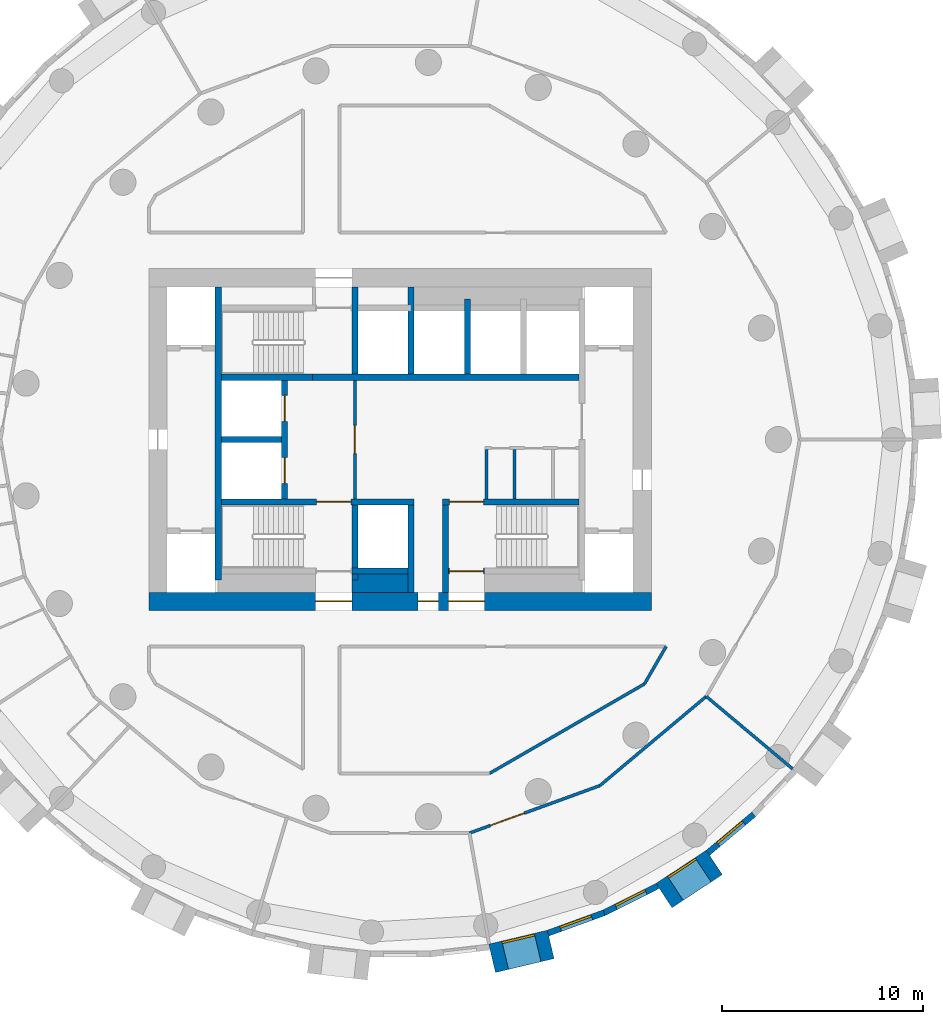
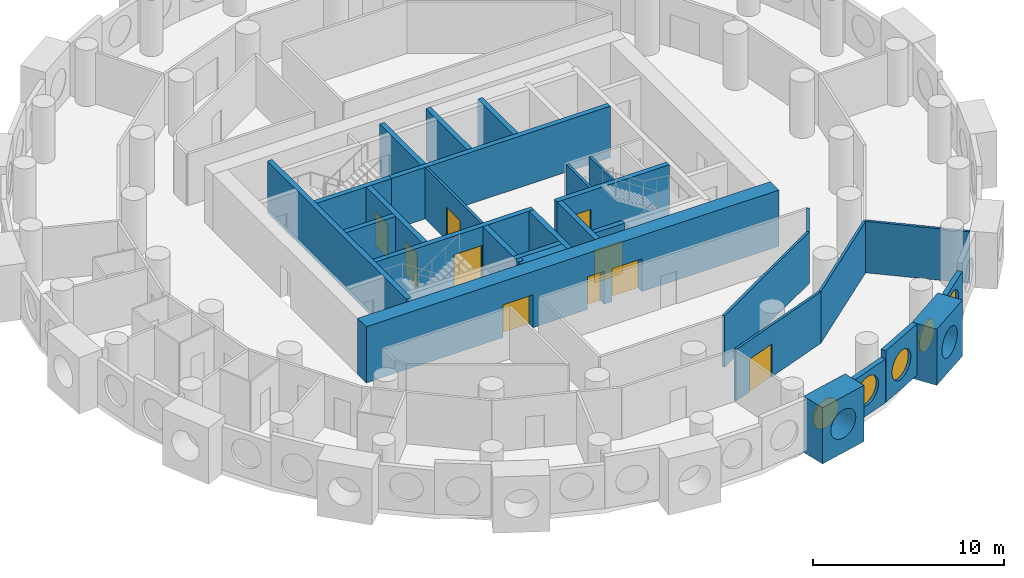
# One storey, part 4 of 9: 30 walls, 10 doors, 5 windows, 15 openings.
"""IFC4 building model written with IfcOpenShell, lengths in metres."""

from ifc_helpers import new_model, si_unit, direction, frame, frame_2d, origin, origin_2d, place, context, subcontext, project, spatial, rectangle, circle, extrude, material, layer, layer_set, type_object, element, fill, save


model = new_model("IFC4")

# Units and contexts
model_context = context("Model", 3, precision=1e-05, world=origin(), true_north=direction((0.0, 1.0)))
body_context = subcontext(model_context, "Body", "Model", "MODEL_VIEW")
ifc_project = project(units=[si_unit("LENGTHUNIT", "METRE"), si_unit("AREAUNIT", "SQUARE_METRE"), si_unit("VOLUMEUNIT", "CUBIC_METRE"), si_unit("PLANEANGLEUNIT", "RADIAN"), si_unit("MASSUNIT", "GRAM", prefix="KILO")], contexts=[model_context])

# Site, building, storey
site_placement = place(None, origin())
site = spatial("IfcSite", under=ifc_project, at=site_placement, CompositionType="ELEMENT")
building_placement = place(site_placement, origin())
building = spatial("IfcBuilding", under=site, at=building_placement, Name="Tracery Tower", CompositionType="ELEMENT")
storey_placement = place(building_placement, frame((0.0, 0.0, 208.800048828125)))
storey = spatial("IfcBuildingStorey", under=building, at=storey_placement, Name="L54", CompositionType="ELEMENT", Elevation=208.800048828125)

# Wall, opening, door
ifc_material_1 = material(Name="Plasterboard on steel studs", Category="steel")
ifc_layer_1 = layer(ifc_material_1, 0.14990234375)
ifc_layer_set_1 = layer_set([ifc_layer_1], Name="Core lobby partition 150")
wall_type_1 = type_object("IfcWallType", Name="Core lobby partition 150", PredefinedType="SOLIDWALL", material=ifc_layer_set_1)
wall_1_placement = place(storey_placement, frame((-2.25, -2.949951171875, 0.0), z_axis=(0.0, 0.0, 1.0), x_axis=(0.0, 1.0, 0.0)))
wall_1 = element("IfcWall", 1, at=wall_1_placement, inside=storey, type_object=wall_type_1, Name="L54 FF lobby E", PredefinedType="SOLIDWALL", context=body_context, shape_type="SweptSolid", body=[
    extrude(rectangle(XDim=5.89990234375, YDim=0.14990234375, at=frame_2d((2.949951171875, 0.0))), origin(), (0.0, 0.0, 1.0), 3.300048828125),
])
opening_1_placement = place(wall_1_placement, frame((2.25, 0.0, 0.0)))
opening_1 = element("IfcOpeningElement", 2, at=opening_1_placement, cuts=wall_1, Name="Opening KD8", PredefinedType="OPENING", context=body_context, shape_type="SweptSolid", body=[
    extrude(rectangle(XDim=1.39990234375, YDim=2.10009765625, at=frame_2d((0.699951171875, 1.050048828125))), frame((0.0, 0.074951171875, 0.0), z_axis=(0.0, -1.0, 0.0), x_axis=(1.0, 0.0, 0.0)), (0.0, 0.0, 1.0), 0.14990234375),
])
ifc_material_2 = material(Name="Steel fire door", Category="steel")
door_type_1 = type_object("IfcDoorType", Name="Core lobby door 1400 double", OperationType="NOTDEFINED", PredefinedType="DOOR", material=ifc_material_2)
door_1_placement = place(opening_1_placement, origin())
door_1 = element("IfcDoor", 3, at=door_1_placement, inside=storey, type_object=door_type_1, Name="Fire-fighting lobby door", OperationType="DOUBLE_DOOR_SINGLE_SWING", OverallHeight=2.10009765625, OverallWidth=1.39990234375, PredefinedType="DOOR", context=body_context, shape_type="SweptSolid", body=[
    extrude(rectangle(XDim=1.39990234375, YDim=2.10009765625, at=frame_2d((0.699951171875, 1.050048828125))), frame((0.0, 0.02490234375, 0.0), z_axis=(0.0, -1.0, 0.0), x_axis=(1.0, 0.0, 0.0)), (0.0, 0.0, 1.0), 0.050048828125),
])
fill(opening_1, door_1)

# Walls
ifc_material_3 = material(Name="Plasterboard on steel studs", Category="steel")
ifc_layer_2 = layer(ifc_material_3, 0.14990234375)
ifc_layer_set_2 = layer_set([ifc_layer_2], Name="Core room partition 150")
wall_type_2 = type_object("IfcWallType", Name="Core room partition 150", PredefinedType="SOLIDWALL", material=ifc_layer_set_2)
for number, where, z_axis, x_axis, name in (
    (4, (4.300048828125, -2.949951171875, 0.0), (0.0, 0.0, 1.0), (0.0, 1.0, 0.0), "L54 slot W"),
    (5, (5.699951171875, -2.949951171875, 0.0), (0.0, 0.0, 1.0), (0.0, 1.0, 0.0), "L54 slot sep 1"),
):
    element("IfcWall", number, at=place(storey_placement, frame(where, z_axis=z_axis, x_axis=x_axis)), inside=storey, type_object=wall_type_2, Name=name, PredefinedType="SOLIDWALL", context=body_context, shape_type="SweptSolid", body=[
        extrude(rectangle(XDim=2.449951171875, YDim=0.14990234375, at=frame_2d((1.22509765625, 0.0))), origin(), (0.0, 0.0, 1.0), 3.300048828125),
    ])
ifc_material_4 = material(Name="Concrete C50/60", Category="concrete")
ifc_layer_3 = layer(ifc_material_4, 0.89990234375)
ifc_layer_set_3 = layer_set([ifc_layer_3], Name="Core strip wall 900 C50")
wall_type_3 = type_object("IfcWallType", Name="Core strip wall 900 C50", PredefinedType="SOLIDWALL", material=ifc_layer_set_3)
wall_2_placement = place(storey_placement, frame((-2.39990234375, -7.14990234375, 0.0), z_axis=(0.0, 0.0, 1.0), x_axis=(1.0, 0.0, 0.0)))
element("IfcWall", 6, at=wall_2_placement, inside=storey, type_object=wall_type_3, Name="L54 F thick S mid", PredefinedType="SOLIDWALL", context=body_context, shape_type="SweptSolid", body=[
    extrude(rectangle(XDim=2.7998046875, YDim=0.89990234375, at=frame_2d((1.39990234375, 0.0))), origin(), (0.0, 0.0, 1.0), 3.300048828125),
])

# Wall, openings, doors
ifc_material_5 = material(Name="Concrete C50/60", Category="concrete")
ifc_layer_4 = layer(ifc_material_5, 0.89990234375)
ifc_layer_set_4 = layer_set([ifc_layer_4], Name="Core wall 900 C50")
wall_type_4 = type_object("IfcWallType", Name="Core wall 900 C50", PredefinedType="SOLIDWALL", material=ifc_layer_set_4)
wall_3_placement = place(storey_placement, frame((-12.5, -8.050048828125, 0.0), z_axis=(0.0, 0.0, 1.0), x_axis=(1.0, 0.0, 0.0)))
wall_3 = element("IfcWall", 7, at=wall_3_placement, inside=storey, type_object=wall_type_4, Name="L54 outer S", PredefinedType="SOLIDWALL", context=body_context, shape_type="SweptSolid", body=[
    extrude(rectangle(XDim=25.0, YDim=0.89990234375, at=frame_2d((12.5, 0.0))), origin(), (0.0, 0.0, 1.0), 3.599853515625),
])
opening_2_placement = place(wall_3_placement, frame((13.39990234375, 0.0, 0.0)))
opening_2 = element("IfcOpeningElement", 8, at=opening_2_placement, cuts=wall_3, Name="Opening KD16", PredefinedType="OPENING", context=body_context, shape_type="SweptSolid", body=[
    extrude(rectangle(XDim=1.0, YDim=2.10009765625, at=frame_2d((0.5, 1.050048828125))), frame((0.0, 0.449951171875, 0.0), z_axis=(0.0, -1.0, 0.0), x_axis=(1.0, 0.0, 0.0)), (0.0, 0.0, 1.0), 0.89990234375),
])
opening_3_placement = place(wall_3_placement, frame((8.300048828125, 0.0, 0.0)))
opening_3 = element("IfcOpeningElement", 9, at=opening_3_placement, cuts=wall_3, Name="Opening KD13", PredefinedType="OPENING", context=body_context, shape_type="SweptSolid", body=[
    extrude(rectangle(XDim=1.800048828125, YDim=2.10009765625, at=frame_2d((0.89990234375, 1.050048828125))), frame((0.0, 0.449951171875, 0.0), z_axis=(0.0, -1.0, 0.0), x_axis=(1.0, 0.0, 0.0)), (0.0, 0.0, 1.0), 0.89990234375),
])
opening_4_placement = place(wall_3_placement, frame((14.89990234375, 0.0, 0.0)))
opening_4 = element("IfcOpeningElement", 10, at=opening_4_placement, cuts=wall_3, Name="Opening KD13", PredefinedType="OPENING", context=body_context, shape_type="SweptSolid", body=[
    extrude(rectangle(XDim=1.800048828125, YDim=2.10009765625, at=frame_2d((0.89990234375, 1.050048828125))), frame((0.0, 0.449951171875, 0.0), z_axis=(0.0, -1.0, 0.0), x_axis=(1.0, 0.0, 0.0)), (0.0, 0.0, 1.0), 0.89990234375),
])
ifc_material_6 = material(Name="Steel fire door", Category="steel")
door_type_2 = type_object("IfcDoorType", Name="Core exit door 1000", OperationType="NOTDEFINED", PredefinedType="DOOR", material=ifc_material_6)
door_2_placement = place(opening_2_placement, origin())
door_2 = element("IfcDoor", 11, at=door_2_placement, inside=storey, type_object=door_type_2, Name="Core exit door", OperationType="SINGLE_SWING_LEFT", OverallHeight=2.10009765625, OverallWidth=1.0, PredefinedType="DOOR", context=body_context, shape_type="SweptSolid", body=[
    extrude(rectangle(XDim=1.0, YDim=2.10009765625, at=frame_2d((0.5, 1.050048828125))), frame((0.0, 0.02490234375, 0.0), z_axis=(0.0, -1.0, 0.0), x_axis=(1.0, 0.0, 0.0)), (0.0, 0.0, 1.0), 0.050048828125),
])
fill(opening_2, door_2)
ifc_material_7 = material(Name="Steel fire door", Category="steel")
door_type_3 = type_object("IfcDoorType", Name="Core exit door 1800 double", OperationType="NOTDEFINED", PredefinedType="DOOR", material=ifc_material_7)
door_3_placement = place(opening_3_placement, origin())
door_3 = element("IfcDoor", 12, at=door_3_placement, inside=storey, type_object=door_type_3, Name="Core exit door", OperationType="DOUBLE_DOOR_SINGLE_SWING", OverallHeight=2.10009765625, OverallWidth=1.800048828125, PredefinedType="DOOR", context=body_context, shape_type="SweptSolid", body=[
    extrude(rectangle(XDim=1.800048828125, YDim=2.10009765625, at=frame_2d((0.89990234375, 1.050048828125))), frame((0.0, 0.02490234375, 0.0), z_axis=(0.0, -1.0, 0.0), x_axis=(1.0, 0.0, 0.0)), (0.0, 0.0, 1.0), 0.050048828125),
])
fill(opening_3, door_3)
door_4_placement = place(opening_4_placement, origin())
door_4 = element("IfcDoor", 13, at=door_4_placement, inside=storey, type_object=door_type_3, Name="Core exit door", OperationType="DOUBLE_DOOR_SINGLE_SWING", OverallHeight=2.10009765625, OverallWidth=1.800048828125, PredefinedType="DOOR", context=body_context, shape_type="SweptSolid", body=[
    extrude(rectangle(XDim=1.800048828125, YDim=2.10009765625, at=frame_2d((0.89990234375, 1.050048828125))), frame((0.0, 0.02490234375, 0.0), z_axis=(0.0, -1.0, 0.0), x_axis=(1.0, 0.0, 0.0)), (0.0, 0.0, 1.0), 0.050048828125),
])
fill(opening_4, door_4)

# Wall, opening, window
ifc_material_8 = material(Name="Precast concrete C50/60", Category="concrete")
ifc_layer_5 = layer(ifc_material_8, 1.449951171875)
ifc_layer_set_5 = layer_set([ifc_layer_5], Name="Deep-set bay unit 3000 x 3600, slab edge 300")
wall_type_5 = type_object("IfcWallType", Name="Deep-set bay unit 3000 x 3600, slab edge 300", PredefinedType="ELEMENTEDWALL", material=ifc_layer_set_5)
wall_4_placement = place(storey_placement, frame((4.57763671875, -25.8193359375, -0.300048828125), z_axis=(0.0, 0.0, 1.0), x_axis=(0.973042333261, 0.23062657627, 0.0)))
wall_4 = element("IfcWall", 14, at=wall_4_placement, inside=storey, type_object=wall_type_5, Name="Deep-set bay unit 43 at L54", PredefinedType="ELEMENTEDWALL", context=body_context, shape_type="SweptSolid", body=[
    extrude(rectangle(XDim=3.0, YDim=1.449951171875, at=frame_2d((1.5, 0.0))), origin(), (0.0, 0.0, 1.0), 3.60009765625),
])
opening_5_placement = place(wall_4_placement, frame((1.5, 0.0, 1.85009765625)))
opening_5 = element("IfcOpeningElement", 15, at=opening_5_placement, cuts=wall_4, Name="Opening WN1", PredefinedType="OPENING", context=body_context, shape_type="SweptSolid", body=[
    extrude(circle(Radius=0.9000244140625, at=origin_2d()), frame((0.0, 0.73486328125, 0.0), z_axis=(0.0, -1.0, 0.0), x_axis=(1.0, 0.0, 0.0)), (0.0, 0.0, 1.0), 1.469970703125),
])
ifc_material_9 = material(Name="Aluminium frame with tinted double glazing", Category="aluminium")
window_type = type_object("IfcWindowType", Name="Round window 1800", PartitioningType="SINGLE_PANEL", PredefinedType="WINDOW", material=ifc_material_9)
window_1_placement = place(opening_5_placement, origin())
window_1 = element("IfcWindow", 16, at=window_1_placement, inside=storey, type_object=window_type, Name="Round window 43 at L54", OverallHeight=1.800048828125, OverallWidth=1.800048828125, PartitioningType="SINGLE_PANEL", PredefinedType="WINDOW", context=body_context, shape_type="SweptSolid", body=[
    extrude(circle(Radius=0.9000244140625, at=origin_2d()), frame((0.0, 0.69482421875, 0.0), z_axis=(0.0, -1.0, 0.0), x_axis=(1.0, 0.0, 0.0)), (0.0, 0.0, 1.0), 0.10009765625),
])
fill(opening_5, window_1)

wall_5_placement = place(storey_placement, frame((13.13232421875, -22.696533203125, -0.300048828125), z_axis=(0.0, 0.0, 1.0), x_axis=(0.835514416706, 0.549468524554, 0.0)))
wall_5 = element("IfcWall", 17, at=wall_5_placement, inside=storey, type_object=wall_type_5, Name="Deep-set bay unit 46 at L54", PredefinedType="ELEMENTEDWALL", context=body_context, shape_type="SweptSolid", body=[
    extrude(rectangle(XDim=3.0, YDim=1.449951171875, at=frame_2d((1.5, 0.0))), origin(), (0.0, 0.0, 1.0), 3.60009765625),
])
opening_6_placement = place(wall_5_placement, frame((1.5, 0.0, 1.85009765625)))
opening_6 = element("IfcOpeningElement", 18, at=opening_6_placement, cuts=wall_5, Name="Opening WN1", PredefinedType="OPENING", context=body_context, shape_type="SweptSolid", body=[
    extrude(circle(Radius=0.9000244140625, at=origin_2d()), frame((0.0, 0.73486328125, 0.0), z_axis=(0.0, -1.0, 0.0), x_axis=(1.0, 0.0, 0.0)), (0.0, 0.0, 1.0), 1.469970703125),
])
window_2_placement = place(opening_6_placement, origin())
window_2 = element("IfcWindow", 19, at=window_2_placement, inside=storey, type_object=window_type, Name="Round window 46 at L54", OverallHeight=1.800048828125, OverallWidth=1.800048828125, PartitioningType="SINGLE_PANEL", PredefinedType="WINDOW", context=body_context, shape_type="SweptSolid", body=[
    extrude(circle(Radius=0.9000244140625, at=origin_2d()), frame((0.0, 0.69482421875, 0.0), z_axis=(0.0, -1.0, 0.0), x_axis=(1.0, 0.0, 0.0)), (0.0, 0.0, 1.0), 0.10009765625),
])
fill(opening_6, window_2)

ifc_material_10 = material(Name="Precast concrete C50/60", Category="concrete")
ifc_layer_6 = layer(ifc_material_10, 0.300048828125)
ifc_layer_set_6 = layer_set([ifc_layer_6], Name="Facade panel 3000 x 2800")
wall_type_6 = type_object("IfcWallType", Name="Facade panel 3000 x 2800", PredefinedType="SOLIDWALL", material=ifc_layer_set_6)
wall_6_placement = place(storey_placement, frame((7.36474609375, -24.566650390625, 0.0), z_axis=(0.0, 0.0, 1.0), x_axis=(0.939690282133, 0.342026568652, 0.0)))
wall_6 = element("IfcWall", 20, at=wall_6_placement, inside=storey, type_object=wall_type_6, Name="Facade panel 44 at L54", PredefinedType="SOLIDWALL", context=body_context, shape_type="SweptSolid", body=[
    extrude(rectangle(XDim=2.972900390625, YDim=0.300048828125, at=frame_2d((1.486328125, 0.0))), origin(), (0.0, 0.0, 1.0), 2.800048828125),
])
opening_7_placement = place(wall_6_placement, frame((1.486328125, 0.0, 1.5498046875)))
opening_7 = element("IfcOpeningElement", 21, at=opening_7_placement, cuts=wall_6, Name="Opening WN1", PredefinedType="OPENING", context=body_context, shape_type="SweptSolid", body=[
    extrude(circle(Radius=0.9000244140625, at=origin_2d()), frame((0.0, 0.159912109375, 0.0), z_axis=(0.0, -1.0, 0.0), x_axis=(1.0, 0.0, 0.0)), (0.0, 0.0, 1.0), 0.320068359375),
])
window_3_placement = place(opening_7_placement, origin())
window_3 = element("IfcWindow", 22, at=window_3_placement, inside=storey, type_object=window_type, Name="Round window 44 at L54", OverallHeight=1.800048828125, OverallWidth=1.800048828125, PartitioningType="SINGLE_PANEL", PredefinedType="WINDOW", context=body_context, shape_type="SweptSolid", body=[
    extrude(circle(Radius=0.9000244140625, at=origin_2d()), frame((0.0, 0.1201171875, 0.0), z_axis=(0.0, -1.0, 0.0), x_axis=(1.0, 0.0, 0.0)), (0.0, 0.0, 1.0), 0.10009765625),
])
fill(opening_7, window_3)

wall_7_placement = place(storey_placement, frame((15.322998046875, -20.566162109375, 0.0), z_axis=(0.0, 0.0, 1.0), x_axis=(0.766049350637, 0.642781761089, 0.0)))
wall_7 = element("IfcWall", 23, at=wall_7_placement, inside=storey, type_object=wall_type_6, Name="Facade panel 47 at L54", PredefinedType="SOLIDWALL", context=body_context, shape_type="SweptSolid", body=[
    extrude(rectangle(XDim=2.972900390625, YDim=0.300048828125, at=frame_2d((1.486328125, 0.0))), origin(), (0.0, 0.0, 1.0), 2.800048828125),
])
opening_8_placement = place(wall_7_placement, frame((1.486328125, 0.0, 1.5498046875)))
opening_8 = element("IfcOpeningElement", 24, at=opening_8_placement, cuts=wall_7, Name="Opening WN1", PredefinedType="OPENING", context=body_context, shape_type="SweptSolid", body=[
    extrude(circle(Radius=0.9000244140625, at=origin_2d()), frame((0.0, 0.159912109375, 0.0), z_axis=(0.0, -1.0, 0.0), x_axis=(1.0, 0.0, 0.0)), (0.0, 0.0, 1.0), 0.320068359375),
])
window_4_placement = place(opening_8_placement, origin())
window_4 = element("IfcWindow", 25, at=window_4_placement, inside=storey, type_object=window_type, Name="Round window 47 at L54", OverallHeight=1.800048828125, OverallWidth=1.800048828125, PartitioningType="SINGLE_PANEL", PredefinedType="WINDOW", context=body_context, shape_type="SweptSolid", body=[
    extrude(circle(Radius=0.9000244140625, at=origin_2d()), frame((0.0, 0.1201171875, 0.0), z_axis=(0.0, -1.0, 0.0), x_axis=(1.0, 0.0, 0.0)), (0.0, 0.0, 1.0), 0.10009765625),
])
fill(opening_8, window_4)

ifc_material_11 = material(Name="Precast concrete C50/60", Category="concrete")
ifc_layer_7 = layer(ifc_material_11, 0.300048828125)
ifc_layer_set_7 = layer_set([ifc_layer_7], Name="Facade panel 3000 x 3300")
wall_type_7 = type_object("IfcWallType", Name="Facade panel 3000 x 3300", PredefinedType="SOLIDWALL", material=ifc_layer_set_7)
wall_8_placement = place(storey_placement, frame((10.158447265625, -23.5498046875, 0.0), z_axis=(0.0, 0.0, 1.0), x_axis=(0.893637442555, 0.448789618045, 0.0)))
wall_8 = element("IfcWall", 26, at=wall_8_placement, inside=storey, type_object=wall_type_7, Name="Facade panel 45 at L54", PredefinedType="SOLIDWALL", context=body_context, shape_type="SweptSolid", body=[
    extrude(rectangle(XDim=2.972900390625, YDim=0.300048828125, at=frame_2d((1.486328125, 0.0))), origin(), (0.0, 0.0, 1.0), 3.300048828125),
])
opening_9_placement = place(wall_8_placement, frame((1.486328125, 0.0, 1.5498046875)))
opening_9 = element("IfcOpeningElement", 27, at=opening_9_placement, cuts=wall_8, Name="Opening WN1", PredefinedType="OPENING", context=body_context, shape_type="SweptSolid", body=[
    extrude(circle(Radius=0.9000244140625, at=origin_2d()), frame((0.0, 0.159912109375, 0.0), z_axis=(0.0, -1.0, 0.0), x_axis=(1.0, 0.0, 0.0)), (0.0, 0.0, 1.0), 0.320068359375),
])
window_5_placement = place(opening_9_placement, origin())
window_5 = element("IfcWindow", 28, at=window_5_placement, inside=storey, type_object=window_type, Name="Round window 45 at L54", OverallHeight=1.800048828125, OverallWidth=1.800048828125, PartitioningType="SINGLE_PANEL", PredefinedType="WINDOW", context=body_context, shape_type="SweptSolid", body=[
    extrude(circle(Radius=0.9000244140625, at=origin_2d()), frame((0.0, 0.1201171875, 0.0), z_axis=(0.0, -1.0, 0.0), x_axis=(1.0, 0.0, 0.0)), (0.0, 0.0, 1.0), 0.10009765625),
])
fill(opening_9, window_5)

# Walls
ifc_material_12 = material(Name="Plasterboard on steel studs", Category="steel")
ifc_layer_8 = layer(ifc_material_12, 0.14990234375)
ifc_layer_set_8 = layer_set([ifc_layer_8], Name="Partition 150 acoustic unit wall")
wall_type_8 = type_object("IfcWallType", Name="Partition 150 acoustic unit wall", PredefinedType="PARTITIONING", material=ifc_layer_set_8)
wall_9_placement = place(storey_placement, frame((15.235107421875, -12.783935546875, 0.0), z_axis=(0.0, 0.0, 1.0), x_axis=(0.76609059793, -0.642732600514, 0.0)))
element("IfcWall", 29, at=wall_9_placement, inside=storey, type_object=wall_type_8, Name="Unit wall RB8-063", PredefinedType="PARTITIONING", context=body_context, shape_type="SweptSolid", body=[
    extrude(rectangle(XDim=5.60888671875, YDim=0.14990234375, at=frame_2d((2.804443359375, 0.0))), origin(), (0.0, 0.0, 1.0), 3.300048828125),
])
ifc_material_13 = material(Name="Plasterboard on steel studs", Category="steel")
ifc_layer_9 = layer(ifc_material_13, 0.14990234375)
ifc_layer_set_9 = layer_set([ifc_layer_9], Name="Partition 150 corridor wall")
wall_type_9 = type_object("IfcWallType", Name="Partition 150 corridor wall", PredefinedType="PARTITIONING", material=ifc_layer_set_9)
wall_10_placement = place(storey_placement, frame((12.162109375, -12.162109375, 0.0), z_axis=(0.0, 0.0, 1.0), x_axis=(0.499961633463, 0.866047553582, 0.0)))
element("IfcWall", 30, at=wall_10_placement, inside=storey, type_object=wall_type_9, Name="Corridor wall RB8-006", PredefinedType="PARTITIONING", context=body_context, shape_type="SweptSolid", body=[
    extrude(rectangle(XDim=2.150146484375, YDim=0.14990234375, at=frame_2d((1.0751953125, 0.0))), origin(), (0.0, 0.0, 1.0), 3.300048828125),
])
wall_11_placement = place(storey_placement, frame((9.943359375, -17.22216796875, 0.0), z_axis=(0.0, 0.0, 1.0), x_axis=(0.766192104565, 0.642611592567, 0.0)))
element("IfcWall", 31, at=wall_11_placement, inside=storey, type_object=wall_type_9, Name="Corridor wall RB8-010", PredefinedType="PARTITIONING", context=body_context, shape_type="SweptSolid", body=[
    extrude(rectangle(XDim=6.906494140625, YDim=0.14990234375, at=frame_2d((3.453125, 0.0))), origin(), (0.0, 0.0, 1.0), 3.300048828125),
])
wall_12_placement = place(storey_placement, frame((4.451904296875, -16.614013671875, 0.0), z_axis=(0.0, 0.0, 1.0), x_axis=(0.866005203721, 0.500034985904, 0.0)))
element("IfcWall", 32, at=wall_12_placement, inside=storey, type_object=wall_type_9, Name="Corridor wall RB8-036", PredefinedType="PARTITIONING", context=body_context, shape_type="SweptSolid", body=[
    extrude(rectangle(XDim=8.903076171875, YDim=0.14990234375, at=frame_2d((4.45166015625, 0.0))), origin(), (0.0, 0.0, 1.0), 3.300048828125),
])

# Wall, opening, door
wall_13_placement = place(storey_placement, frame((3.452880859375, -19.5859375, 0.0), z_axis=(0.0, 0.0, 1.0), x_axis=(0.939672634566, 0.342075050021, 0.0)))
wall_13 = element("IfcWall", 33, at=wall_13_placement, inside=storey, type_object=wall_type_9, Name="Corridor wall RB8-039", PredefinedType="PARTITIONING", context=body_context, shape_type="SweptSolid", body=[
    extrude(rectangle(XDim=6.907958984375, YDim=0.14990234375, at=frame_2d((3.4541015625, 0.0))), origin(), (0.0, 0.0, 1.0), 3.300048828125),
])
opening_10_placement = place(wall_13_placement, frame((1.103759765625, 0.0, 0.0)))
opening_10 = element("IfcOpeningElement", 34, at=opening_10_placement, cuts=wall_13, Name="Opening RB8-21", PredefinedType="OPENING", context=body_context, shape_type="SweptSolid", body=[
    extrude(rectangle(XDim=1.800048828125, YDim=2.10009765625, at=frame_2d((0.89990234375, 1.050048828125))), frame((0.0, 0.074951171875, 0.0), z_axis=(0.0, -1.0, 0.0), x_axis=(1.0, 0.0, 0.0)), (0.0, 0.0, 1.0), 0.14990234375),
])
ifc_material_14 = material(Name="Timber door leaf", Category="wood")
door_type_4 = type_object("IfcDoorType", Name="Door double lounge 1800", OperationType="NOTDEFINED", PredefinedType="DOOR", material=ifc_material_14)
door_5_placement = place(opening_10_placement, origin())
door_5 = element("IfcDoor", 35, at=door_5_placement, inside=storey, type_object=door_type_4, Name="Double lounge door RB8-21", OperationType="DOUBLE_DOOR_SINGLE_SWING", OverallHeight=2.10009765625, OverallWidth=1.800048828125, PredefinedType="DOOR", context=body_context, shape_type="SweptSolid", body=[
    extrude(rectangle(XDim=1.800048828125, YDim=2.10009765625, at=frame_2d((0.89990234375, 1.050048828125))), frame((0.0, 0.02490234375, 0.0), z_axis=(0.0, -1.0, 0.0), x_axis=(1.0, 0.0, 0.0)), (0.0, 0.0, 1.0), 0.050048828125),
])
fill(opening_10, door_5)

# Wall
ifc_material_15 = material(Name="Concrete C50/60", Category="concrete")
ifc_layer_10 = layer(ifc_material_15, 0.300048828125)
ifc_layer_set_10 = layer_set([ifc_layer_10], Name="Shaft wall 300 C50")
wall_type_10 = type_object("IfcWallType", Name="Shaft wall 300 C50", PredefinedType="SOLIDWALL", material=ifc_layer_set_10)
wall_14_placement = place(storey_placement, frame((-8.89990234375, 0.0, 0.0), z_axis=(0.0, 0.0, 1.0), x_axis=(1.0, 0.0, 0.0)))
element("IfcWall", 36, at=wall_14_placement, inside=storey, type_object=wall_type_10, Name="L54 FF split", PredefinedType="SOLIDWALL", context=body_context, shape_type="SweptSolid", body=[
    extrude(rectangle(XDim=3.0, YDim=0.300048828125, at=frame_2d((1.5, 0.0))), origin(), (0.0, 0.0, 1.0), 3.300048828125),
])

# Wall, openings, doors
wall_15_placement = place(storey_placement, frame((-5.75, -2.949951171875, 0.0), z_axis=(0.0, 0.0, 1.0), x_axis=(0.0, 1.0, 0.0)))
wall_15 = element("IfcWall", 37, at=wall_15_placement, inside=storey, type_object=wall_type_10, Name="L54 FF doors", PredefinedType="SOLIDWALL", context=body_context, shape_type="SweptSolid", body=[
    extrude(rectangle(XDim=5.89990234375, YDim=0.300048828125, at=frame_2d((2.949951171875, 0.0))), origin(), (0.0, 0.0, 1.0), 3.300048828125),
])
opening_11_placement = place(wall_15_placement, frame((0.75, 0.0, 0.0)))
opening_11 = element("IfcOpeningElement", 38, at=opening_11_placement, cuts=wall_15, Name="Opening KD54", PredefinedType="OPENING", context=body_context, shape_type="SweptSolid", body=[
    extrude(rectangle(XDim=1.300048828125, YDim=2.10009765625, at=frame_2d((0.64990234375, 1.050048828125))), frame((0.0, 0.14990234375, 0.0), z_axis=(0.0, -1.0, 0.0), x_axis=(1.0, 0.0, 0.0)), (0.0, 0.0, 1.0), 0.300048828125),
])
opening_12_placement = place(wall_15_placement, frame((3.85009765625, 0.0, 0.0)))
opening_12 = element("IfcOpeningElement", 39, at=opening_12_placement, cuts=wall_15, Name="Opening KD55", PredefinedType="OPENING", context=body_context, shape_type="SweptSolid", body=[
    extrude(rectangle(XDim=1.300048828125, YDim=2.10009765625, at=frame_2d((0.64990234375, 1.050048828125))), frame((0.0, 0.14990234375, 0.0), z_axis=(0.0, -1.0, 0.0), x_axis=(1.0, 0.0, 0.0)), (0.0, 0.0, 1.0), 0.300048828125),
])
ifc_material_16 = material(Name="Steel fire door", Category="steel")
door_type_5 = type_object("IfcDoorType", Name="Landing door FF 1300", OperationType="NOTDEFINED", PredefinedType="DOOR", material=ifc_material_16)
door_6_placement = place(opening_11_placement, origin())
door_6 = element("IfcDoor", 40, at=door_6_placement, inside=storey, type_object=door_type_5, Name="Landing door FF1", OperationType="SLIDING_TO_LEFT", OverallHeight=2.10009765625, OverallWidth=1.300048828125, PredefinedType="DOOR", context=body_context, shape_type="SweptSolid", body=[
    extrude(rectangle(XDim=1.300048828125, YDim=2.10009765625, at=frame_2d((0.64990234375, 1.050048828125))), frame((0.0, 0.02490234375, 0.0), z_axis=(0.0, -1.0, 0.0), x_axis=(1.0, 0.0, 0.0)), (0.0, 0.0, 1.0), 0.050048828125),
])
fill(opening_11, door_6)
door_7_placement = place(opening_12_placement, origin())
door_7 = element("IfcDoor", 41, at=door_7_placement, inside=storey, type_object=door_type_5, Name="Landing door FF2", OperationType="SLIDING_TO_RIGHT", OverallHeight=2.10009765625, OverallWidth=1.300048828125, PredefinedType="DOOR", context=body_context, shape_type="SweptSolid", body=[
    extrude(rectangle(XDim=1.300048828125, YDim=2.10009765625, at=frame_2d((0.64990234375, 1.050048828125))), frame((0.0, 0.02490234375, 0.0), z_axis=(0.0, -1.0, 0.0), x_axis=(1.0, 0.0, 0.0)), (0.0, 0.0, 1.0), 0.050048828125),
])
fill(opening_12, door_7)

# Walls
for number, where, z_axis, x_axis, name in (
    (42, (0.550048828125, -7.60009765625, 0.0), (0.0, 0.0, 1.0), (0.0, 1.0, 0.0), "L54 OB2 E"),
    (43, (0.550048828125, 3.25, 0.0), (0.0, 0.0, 1.0), (0.0, 1.0, 0.0), "L54 HR sep 1"),
):
    element("IfcWall", number, at=place(storey_placement, frame(where, z_axis=z_axis, x_axis=x_axis)), inside=storey, type_object=wall_type_10, Name=name, PredefinedType="SOLIDWALL", context=body_context, shape_type="SweptSolid", body=[
        extrude(rectangle(XDim=4.35009765625, YDim=0.300048828125, at=frame_2d((2.175048828125, 0.0))), origin(), (0.0, 0.0, 1.0), 3.300048828125),
    ])
wall_16_placement = place(storey_placement, frame((3.35009765625, 3.25, 0.0), z_axis=(0.0, 0.0, 1.0), x_axis=(0.0, 1.0, 0.0)))
element("IfcWall", 44, at=wall_16_placement, inside=storey, type_object=wall_type_10, Name="L54 HR sep 2", PredefinedType="SOLIDWALL", context=body_context, shape_type="SweptSolid", body=[
    extrude(rectangle(XDim=3.75, YDim=0.300048828125, at=frame_2d((1.875, 0.0))), origin(), (0.0, 0.0, 1.0), 3.300048828125),
])

# Wall, opening, door
ifc_material_17 = material(Name="Concrete C50/60", Category="concrete")
ifc_layer_11 = layer(ifc_material_17, 0.300048828125)
ifc_layer_set_11 = layer_set([ifc_layer_11], Name="Stair wall 300 C50")
wall_type_11 = type_object("IfcWallType", Name="Stair wall 300 C50", PredefinedType="SOLIDWALL", material=ifc_layer_set_11)
wall_17_placement = place(storey_placement, frame((-8.89990234375, -3.10009765625, 0.0), z_axis=(0.0, 0.0, 1.0), x_axis=(1.0, 0.0, 0.0)))
wall_17 = element("IfcWall", 45, at=wall_17_placement, inside=storey, type_object=wall_type_11, Name="L54 row S", PredefinedType="SOLIDWALL", context=body_context, shape_type="SweptSolid", body=[
    extrude(rectangle(XDim=9.599853515625, YDim=0.300048828125, at=frame_2d((4.7998046875, 0.0))), origin(), (0.0, 0.0, 1.0), 3.300048828125),
])
opening_13_placement = place(wall_17_placement, frame((4.75, 0.0, 0.0)))
opening_13 = element("IfcOpeningElement", 46, at=opening_13_placement, cuts=wall_17, Name="Opening KD3", PredefinedType="OPENING", context=body_context, shape_type="SweptSolid", body=[
    extrude(rectangle(XDim=1.699951171875, YDim=2.10009765625, at=frame_2d((0.85009765625, 1.050048828125))), frame((0.0, 0.14990234375, 0.0), z_axis=(0.0, -1.0, 0.0), x_axis=(1.0, 0.0, 0.0)), (0.0, 0.0, 1.0), 0.300048828125),
])
ifc_material_18 = material(Name="Steel fire door", Category="steel")
door_type_6 = type_object("IfcDoorType", Name="Core stair door 1700 double", OperationType="NOTDEFINED", PredefinedType="DOOR", material=ifc_material_18)
door_8_placement = place(opening_13_placement, origin())
door_8 = element("IfcDoor", 47, at=door_8_placement, inside=storey, type_object=door_type_6, Name="Stair door ST1", OperationType="DOUBLE_DOOR_SINGLE_SWING", OverallHeight=2.10009765625, OverallWidth=1.699951171875, PredefinedType="DOOR", context=body_context, shape_type="SweptSolid", body=[
    extrude(rectangle(XDim=1.699951171875, YDim=2.10009765625, at=frame_2d((0.85009765625, 1.050048828125))), frame((0.0, 0.02490234375, 0.0), z_axis=(0.0, -1.0, 0.0), x_axis=(1.0, 0.0, 0.0)), (0.0, 0.0, 1.0), 0.050048828125),
])
fill(opening_13, door_8)

wall_18_placement = place(storey_placement, frame((2.10009765625, -3.10009765625, 0.0), z_axis=(0.0, 0.0, 1.0), x_axis=(1.0, 0.0, 0.0)))
wall_18 = element("IfcWall", 48, at=wall_18_placement, inside=storey, type_object=wall_type_11, Name="L54 row S E", PredefinedType="SOLIDWALL", context=body_context, shape_type="SweptSolid", body=[
    extrude(rectangle(XDim=6.7998046875, YDim=0.300048828125, at=frame_2d((3.39990234375, 0.0))), origin(), (0.0, 0.0, 1.0), 3.300048828125),
])
opening_14_placement = place(wall_18_placement, frame((0.35009765625, 0.0, 0.0)))
opening_14 = element("IfcOpeningElement", 49, at=opening_14_placement, cuts=wall_18, Name="Opening KD3", PredefinedType="OPENING", context=body_context, shape_type="SweptSolid", body=[
    extrude(rectangle(XDim=1.699951171875, YDim=2.10009765625, at=frame_2d((0.85009765625, 1.050048828125))), frame((0.0, 0.14990234375, 0.0), z_axis=(0.0, -1.0, 0.0), x_axis=(1.0, 0.0, 0.0)), (0.0, 0.0, 1.0), 0.300048828125),
])
door_9_placement = place(opening_14_placement, origin())
door_9 = element("IfcDoor", 50, at=door_9_placement, inside=storey, type_object=door_type_6, Name="Stair door ST2", OperationType="DOUBLE_DOOR_SINGLE_SWING", OverallHeight=2.10009765625, OverallWidth=1.699951171875, PredefinedType="DOOR", context=body_context, shape_type="SweptSolid", body=[
    extrude(rectangle(XDim=1.699951171875, YDim=2.10009765625, at=frame_2d((0.85009765625, 1.050048828125))), frame((0.0, 0.02490234375, 0.0), z_axis=(0.0, -1.0, 0.0), x_axis=(1.0, 0.0, 0.0)), (0.0, 0.0, 1.0), 0.050048828125),
])
fill(opening_14, door_9)

# Walls
wall_19_placement = place(storey_placement, frame((-8.89990234375, 3.10009765625, 0.0), z_axis=(0.0, 0.0, 1.0), x_axis=(1.0, 0.0, 0.0)))
element("IfcWall", 51, at=wall_19_placement, inside=storey, type_object=wall_type_11, Name="L54 row N W", PredefinedType="SOLIDWALL", context=body_context, shape_type="SweptSolid", body=[
    extrude(rectangle(XDim=4.5498046875, YDim=0.300048828125, at=frame_2d((2.27490234375, 0.0))), origin(), (0.0, 0.0, 1.0), 3.300048828125),
])
wall_20_placement = place(storey_placement, frame((-4.35009765625, 3.10009765625, 0.0), z_axis=(0.0, 0.0, 1.0), x_axis=(1.0, 0.0, 0.0)))
element("IfcWall", 52, at=wall_20_placement, inside=storey, type_object=wall_type_11, Name="L54 row N", PredefinedType="SOLIDWALL", context=body_context, shape_type="SweptSolid", body=[
    extrude(rectangle(XDim=13.25, YDim=0.300048828125, at=frame_2d((6.625, 0.0))), origin(), (0.0, 0.0, 1.0), 3.300048828125),
])
wall_21_placement = place(storey_placement, frame((-2.25, -7.0, 0.0), z_axis=(0.0, 0.0, 1.0), x_axis=(0.0, 1.0, 0.0)))
element("IfcWall", 53, at=wall_21_placement, inside=storey, type_object=wall_type_11, Name="L54 ST1 E", PredefinedType="SOLIDWALL", context=body_context, shape_type="SweptSolid", body=[
    extrude(rectangle(XDim=3.75, YDim=0.300048828125, at=frame_2d((1.875, 0.0))), origin(), (0.0, 0.0, 1.0), 3.300048828125),
])
for number, where, z_axis, x_axis, name in (
    (54, (-2.25, 3.25, 0.0), (0.0, 0.0, 1.0), (0.0, 1.0, 0.0), "L54 ST3 E"),
    (55, (2.25, -7.60009765625, 0.0), (0.0, 0.0, 1.0), (0.0, 1.0, 0.0), "L54 ST2 W"),
):
    element("IfcWall", number, at=place(storey_placement, frame(where, z_axis=z_axis, x_axis=x_axis)), inside=storey, type_object=wall_type_11, Name=name, PredefinedType="SOLIDWALL", context=body_context, shape_type="SweptSolid", body=[
        extrude(rectangle(XDim=4.35009765625, YDim=0.300048828125, at=frame_2d((2.175048828125, 0.0))), origin(), (0.0, 0.0, 1.0), 3.300048828125),
    ])
wall_22_placement = place(storey_placement, frame((-9.050048828125, -7.0, 0.0), z_axis=(0.0, 0.0, 1.0), x_axis=(0.0, 1.0, 0.0)))
element("IfcWall", 56, at=wall_22_placement, inside=storey, type_object=wall_type_11, Name="L54 F wall -9", PredefinedType="SOLIDWALL", context=body_context, shape_type="SweptSolid", body=[
    extrude(rectangle(XDim=14.60009765625, YDim=0.300048828125, at=frame_2d((7.300048828125, 0.0))), origin(), (0.0, 0.0, 1.0), 3.300048828125),
])
wall_23_placement = place(storey_placement, frame((-2.39990234375, -6.550048828125, 0.0), z_axis=(0.0, 0.0, 1.0), x_axis=(1.0, 0.0, 0.0)))
element("IfcWall", 57, at=wall_23_placement, inside=storey, type_object=wall_type_11, Name="L54 F stair strip S mid", PredefinedType="SOLIDWALL", context=body_context, shape_type="SweptSolid", body=[
    extrude(rectangle(XDim=2.7998046875, YDim=0.300048828125, at=frame_2d((1.39990234375, 0.0))), origin(), (0.0, 0.0, 1.0), 3.300048828125),
])

# Wall, opening, door
wall_24_placement = place(storey_placement, frame((2.39990234375, -6.550048828125, 0.0), z_axis=(0.0, 0.0, 1.0), x_axis=(1.0, 0.0, 0.0)))
wall_24 = element("IfcWall", 58, at=wall_24_placement, inside=storey, type_object=wall_type_11, Name="L54 F stair S E", PredefinedType="SOLIDWALL", context=body_context, shape_type="SweptSolid", body=[
    extrude(rectangle(XDim=1.800048828125, YDim=0.300048828125, at=frame_2d((0.89990234375, 0.0))), origin(), (0.0, 0.0, 1.0), 3.300048828125),
])
opening_15_placement = place(wall_24_placement, frame((0.050048828125, 0.0, 0.0)))
opening_15 = element("IfcOpeningElement", 59, at=opening_15_placement, cuts=wall_24, Name="Opening KD3", PredefinedType="OPENING", context=body_context, shape_type="SweptSolid", body=[
    extrude(rectangle(XDim=1.699951171875, YDim=2.10009765625, at=frame_2d((0.85009765625, 1.050048828125))), frame((0.0, 0.14990234375, 0.0), z_axis=(0.0, -1.0, 0.0), x_axis=(1.0, 0.0, 0.0)), (0.0, 0.0, 1.0), 0.300048828125),
])
door_10_placement = place(opening_15_placement, origin())
door_10 = element("IfcDoor", 60, at=door_10_placement, inside=storey, type_object=door_type_6, Name="Stair door vest", OperationType="DOUBLE_DOOR_SINGLE_SWING", OverallHeight=2.10009765625, OverallWidth=1.699951171875, PredefinedType="DOOR", context=body_context, shape_type="SweptSolid", body=[
    extrude(rectangle(XDim=1.699951171875, YDim=2.10009765625, at=frame_2d((0.85009765625, 1.050048828125))), frame((0.0, 0.02490234375, 0.0), z_axis=(0.0, -1.0, 0.0), x_axis=(1.0, 0.0, 0.0)), (0.0, 0.0, 1.0), 0.050048828125),
])
fill(opening_15, door_10)

save(model, "model.ifc")
